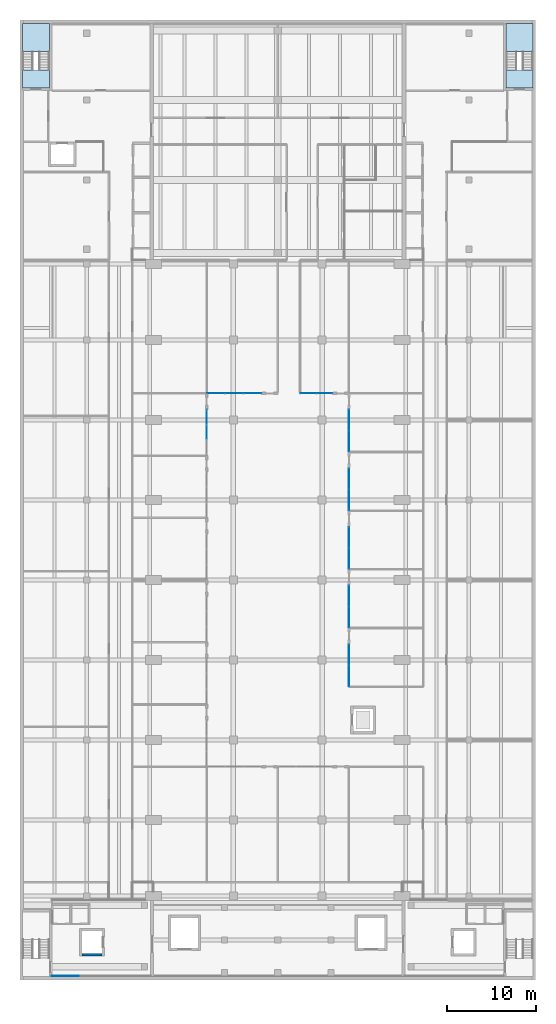
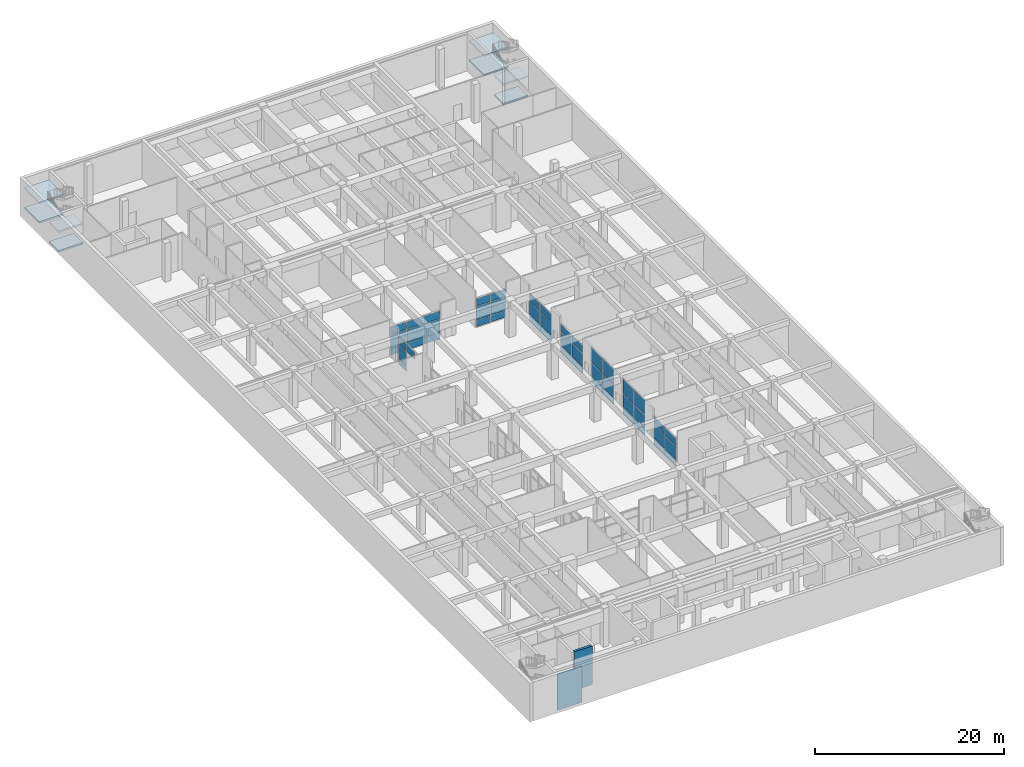
# One storey, part 16 of 29: 49 plates, 8 slabs, 2 walls, 10 elements without a shape of their own.
"""IFC4 building model written with IfcOpenShell, lengths in metres."""

from ifc_helpers import new_model, si_unit, direction, frame, frame_2d, origin, origin_2d, place, context, subcontext, project, spatial, polyline, rectangle, outline, extrude, material, layer, layer_set, type_object, element, aggregate, save


model = new_model("IFC4")

# Units and contexts
model_context = context("Model", 3, precision=1e-05, world=origin(), true_north=direction((0.0, 1.0)))
body_context = subcontext(model_context, "Body", "Model", "MODEL_VIEW")
ifc_project = project(units=[si_unit("LENGTHUNIT", "METRE"), si_unit("AREAUNIT", "SQUARE_METRE"), si_unit("VOLUMEUNIT", "CUBIC_METRE"), si_unit("PLANEANGLEUNIT", "RADIAN"), si_unit("MASSUNIT", "GRAM", prefix="KILO")], contexts=[model_context])

# Site, building, storey
site_placement = place(None, origin())
site = spatial("IfcSite", under=ifc_project, at=site_placement, CompositionType="ELEMENT")
building_placement = place(site_placement, origin())
building = spatial("IfcBuilding", under=site, at=building_placement, Name="Elmora Arch Market Hall", CompositionType="ELEMENT")
storey_placement = place(building_placement, frame((0.0, 0.0, -5.0)))
storey = spatial("IfcBuildingStorey", under=building, at=storey_placement, Name="LG", CompositionType="ELEMENT", Elevation=-5.0)

# Curtain wall, plates
ifc_material_1 = material(Name="Aluminium", Category="aluminium")
curtain_wall_type = type_object("IfcCurtainWallType", Name="Lower ground shopfront curtain wall", PredefinedType="NOTDEFINED", material=ifc_material_1)
curtain_wall_1_placement = place(storey_placement, origin())
curtain_wall_1 = element("IfcCurtainWall", 1, at=curtain_wall_1_placement, inside=storey, type_object=curtain_wall_type, Name="Lower ground shopfront W6", PredefinedType="NOTDEFINED")
ifc_material_2 = material(Name="Glass", Category="glass")
ifc_layer_1 = layer(ifc_material_2, 0.028076171875)
ifc_layer_set_1 = layer_set([ifc_layer_1], Name="Glass")
plate_type = type_object("IfcPlateType", Name="Glass panel 28", PredefinedType="CURTAIN_PANEL", material=ifc_layer_set_1)
plate_1_placement = place(storey_placement, frame((21.0, 79.60009765625, 2.72998046875), z_axis=(0.0, 0.0, 1.0), x_axis=(0.0, 1.0, 0.0)))
plate_1 = element("IfcPlate", 2, at=plate_1_placement, type_object=plate_type, Name="CW6 panel 2.3", PredefinedType="CURTAIN_PANEL", context=body_context, shape_type="SweptSolid", body=[
    extrude(rectangle(XDim=1.67333984375, YDim=0.028076171875, at=origin_2d()), origin(), (0.0, 0.0, 1.0), 0.9599609375),
])
plate_2_placement = place(storey_placement, frame((21.0, 81.318359375, 0.06005859375), z_axis=(0.0, 0.0, 1.0), x_axis=(0.0, 1.0, 0.0)))
plate_2 = element("IfcPlate", 3, at=plate_2_placement, type_object=plate_type, Name="CW6 panel 3.1", PredefinedType="CURTAIN_PANEL", context=body_context, shape_type="SweptSolid", body=[
    extrude(rectangle(XDim=1.643310546875, YDim=0.028076171875, at=origin_2d()), origin(), (0.0, 0.0, 1.0), 0.81005859375),
])
plate_3_placement = place(storey_placement, frame((21.0, 81.318359375, 0.93017578125), z_axis=(0.0, 0.0, 1.0), x_axis=(0.0, 1.0, 0.0)))
plate_3 = element("IfcPlate", 4, at=plate_3_placement, type_object=plate_type, Name="CW6 panel 3.2", PredefinedType="CURTAIN_PANEL", context=body_context, shape_type="SweptSolid", body=[
    extrude(rectangle(XDim=1.643310546875, YDim=0.028076171875, at=origin_2d()), origin(), (0.0, 0.0, 1.0), 1.739990234375),
])
plate_4_placement = place(storey_placement, frame((21.0, 81.318359375, 2.72998046875), z_axis=(0.0, 0.0, 1.0), x_axis=(0.0, 1.0, 0.0)))
plate_4 = element("IfcPlate", 5, at=plate_4_placement, type_object=plate_type, Name="CW6 panel 3.3", PredefinedType="CURTAIN_PANEL", context=body_context, shape_type="SweptSolid", body=[
    extrude(rectangle(XDim=1.643310546875, YDim=0.028076171875, at=origin_2d()), origin(), (0.0, 0.0, 1.0), 0.9599609375),
])
aggregate(curtain_wall_1, [plate_1, plate_2, plate_3, plate_4])

curtain_wall_2_placement = place(storey_placement, origin())
curtain_wall_2 = element("IfcCurtainWall", 6, at=curtain_wall_2_placement, inside=storey, type_object=curtain_wall_type, Name="Lower ground shopfront E1", PredefinedType="NOTDEFINED")
plate_5_placement = place(storey_placement, frame((37.0, 52.215087890625, 0.06005859375), z_axis=(0.0, 0.0, 1.0), x_axis=(0.0, 1.0, 0.0)))
plate_5 = element("IfcPlate", 7, at=plate_5_placement, type_object=plate_type, Name="CW6 panel 1.1", PredefinedType="CURTAIN_PANEL", context=body_context, shape_type="SweptSolid", body=[
    extrude(rectangle(XDim=2.31005859375, YDim=0.028076171875, at=origin_2d()), origin(), (0.0, 0.0, 1.0), 0.81005859375),
])
plate_6_placement = place(storey_placement, frame((37.0, 52.215087890625, 0.93017578125), z_axis=(0.0, 0.0, 1.0), x_axis=(0.0, 1.0, 0.0)))
plate_6 = element("IfcPlate", 8, at=plate_6_placement, type_object=plate_type, Name="CW6 panel 1.2", PredefinedType="CURTAIN_PANEL", context=body_context, shape_type="SweptSolid", body=[
    extrude(rectangle(XDim=2.31005859375, YDim=0.028076171875, at=origin_2d()), origin(), (0.0, 0.0, 1.0), 1.739990234375),
])
plate_7_placement = place(storey_placement, frame((37.0, 52.215087890625, 2.72998046875), z_axis=(0.0, 0.0, 1.0), x_axis=(0.0, 1.0, 0.0)))
plate_7 = element("IfcPlate", 9, at=plate_7_placement, type_object=plate_type, Name="CW6 panel 1.3", PredefinedType="CURTAIN_PANEL", context=body_context, shape_type="SweptSolid", body=[
    extrude(rectangle(XDim=2.31005859375, YDim=0.028076171875, at=origin_2d()), origin(), (0.0, 0.0, 1.0), 0.9599609375),
])
plate_8_placement = place(storey_placement, frame((37.0, 54.5849609375, 0.06005859375), z_axis=(0.0, 0.0, 1.0), x_axis=(0.0, 1.0, 0.0)))
plate_8 = element("IfcPlate", 10, at=plate_8_placement, type_object=plate_type, Name="CW6 panel 2.1", PredefinedType="CURTAIN_PANEL", context=body_context, shape_type="SweptSolid", body=[
    extrude(rectangle(XDim=2.31005859375, YDim=0.028076171875, at=origin_2d()), origin(), (0.0, 0.0, 1.0), 0.81005859375),
])
plate_9_placement = place(storey_placement, frame((37.0, 54.5849609375, 0.93017578125), z_axis=(0.0, 0.0, 1.0), x_axis=(0.0, 1.0, 0.0)))
plate_9 = element("IfcPlate", 11, at=plate_9_placement, type_object=plate_type, Name="CW6 panel 2.2", PredefinedType="CURTAIN_PANEL", context=body_context, shape_type="SweptSolid", body=[
    extrude(rectangle(XDim=2.31005859375, YDim=0.028076171875, at=origin_2d()), origin(), (0.0, 0.0, 1.0), 1.739990234375),
])
plate_10_placement = place(storey_placement, frame((37.0, 54.5849609375, 2.72998046875), z_axis=(0.0, 0.0, 1.0), x_axis=(0.0, 1.0, 0.0)))
plate_10 = element("IfcPlate", 12, at=plate_10_placement, type_object=plate_type, Name="CW6 panel 2.3", PredefinedType="CURTAIN_PANEL", context=body_context, shape_type="SweptSolid", body=[
    extrude(rectangle(XDim=2.31005859375, YDim=0.028076171875, at=origin_2d()), origin(), (0.0, 0.0, 1.0), 0.9599609375),
])
aggregate(curtain_wall_2, [plate_5, plate_6, plate_7, plate_8, plate_9, plate_10])

curtain_wall_3_placement = place(storey_placement, origin())
curtain_wall_3 = element("IfcCurtainWall", 13, at=curtain_wall_3_placement, inside=storey, type_object=curtain_wall_type, Name="Lower ground shopfront E2", PredefinedType="NOTDEFINED")
plate_11_placement = place(storey_placement, frame((37.0, 58.81494140625, 0.06005859375), z_axis=(0.0, 0.0, 1.0), x_axis=(0.0, 1.0, 0.0)))
plate_11 = element("IfcPlate", 14, at=plate_11_placement, type_object=plate_type, Name="CW6 panel 1.1", PredefinedType="CURTAIN_PANEL", context=body_context, shape_type="SweptSolid", body=[
    extrude(rectangle(XDim=2.31005859375, YDim=0.028076171875, at=origin_2d()), origin(), (0.0, 0.0, 1.0), 0.81005859375),
])
plate_12_placement = place(storey_placement, frame((37.0, 58.81494140625, 0.93017578125), z_axis=(0.0, 0.0, 1.0), x_axis=(0.0, 1.0, 0.0)))
plate_12 = element("IfcPlate", 15, at=plate_12_placement, type_object=plate_type, Name="CW6 panel 1.2", PredefinedType="CURTAIN_PANEL", context=body_context, shape_type="SweptSolid", body=[
    extrude(rectangle(XDim=2.31005859375, YDim=0.028076171875, at=origin_2d()), origin(), (0.0, 0.0, 1.0), 1.739990234375),
])
plate_13_placement = place(storey_placement, frame((37.0, 58.81494140625, 2.72998046875), z_axis=(0.0, 0.0, 1.0), x_axis=(0.0, 1.0, 0.0)))
plate_13 = element("IfcPlate", 16, at=plate_13_placement, type_object=plate_type, Name="CW6 panel 1.3", PredefinedType="CURTAIN_PANEL", context=body_context, shape_type="SweptSolid", body=[
    extrude(rectangle(XDim=2.31005859375, YDim=0.028076171875, at=origin_2d()), origin(), (0.0, 0.0, 1.0), 1.860107421875),
])
plate_14_placement = place(storey_placement, frame((37.0, 61.18505859375, 0.06005859375), z_axis=(0.0, 0.0, 1.0), x_axis=(0.0, 1.0, 0.0)))
plate_14 = element("IfcPlate", 17, at=plate_14_placement, type_object=plate_type, Name="CW6 panel 2.1", PredefinedType="CURTAIN_PANEL", context=body_context, shape_type="SweptSolid", body=[
    extrude(rectangle(XDim=2.31005859375, YDim=0.028076171875, at=origin_2d()), origin(), (0.0, 0.0, 1.0), 0.81005859375),
])
plate_15_placement = place(storey_placement, frame((37.0, 61.18505859375, 0.93017578125), z_axis=(0.0, 0.0, 1.0), x_axis=(0.0, 1.0, 0.0)))
plate_15 = element("IfcPlate", 18, at=plate_15_placement, type_object=plate_type, Name="CW6 panel 2.2", PredefinedType="CURTAIN_PANEL", context=body_context, shape_type="SweptSolid", body=[
    extrude(rectangle(XDim=2.31005859375, YDim=0.028076171875, at=origin_2d()), origin(), (0.0, 0.0, 1.0), 1.739990234375),
])
plate_16_placement = place(storey_placement, frame((37.0, 61.18505859375, 2.72998046875), z_axis=(0.0, 0.0, 1.0), x_axis=(0.0, 1.0, 0.0)))
plate_16 = element("IfcPlate", 19, at=plate_16_placement, type_object=plate_type, Name="CW6 panel 2.3", PredefinedType="CURTAIN_PANEL", context=body_context, shape_type="SweptSolid", body=[
    extrude(rectangle(XDim=2.31005859375, YDim=0.028076171875, at=origin_2d()), origin(), (0.0, 0.0, 1.0), 1.860107421875),
])
aggregate(curtain_wall_3, [plate_11, plate_12, plate_13, plate_14, plate_15, plate_16])

curtain_wall_4_placement = place(storey_placement, origin())
curtain_wall_4 = element("IfcCurtainWall", 20, at=curtain_wall_4_placement, inside=storey, type_object=curtain_wall_type, Name="Lower ground shopfront E3", PredefinedType="NOTDEFINED")
plate_17_placement = place(storey_placement, frame((37.0, 65.4150390625, 0.06005859375), z_axis=(0.0, 0.0, 1.0), x_axis=(0.0, 1.0, 0.0)))
plate_17 = element("IfcPlate", 21, at=plate_17_placement, type_object=plate_type, Name="CW6 panel 1.1", PredefinedType="CURTAIN_PANEL", context=body_context, shape_type="SweptSolid", body=[
    extrude(rectangle(XDim=2.31005859375, YDim=0.028076171875, at=origin_2d()), origin(), (0.0, 0.0, 1.0), 0.81005859375),
])
plate_18_placement = place(storey_placement, frame((37.0, 65.4150390625, 0.93017578125), z_axis=(0.0, 0.0, 1.0), x_axis=(0.0, 1.0, 0.0)))
plate_18 = element("IfcPlate", 22, at=plate_18_placement, type_object=plate_type, Name="CW6 panel 1.2", PredefinedType="CURTAIN_PANEL", context=body_context, shape_type="SweptSolid", body=[
    extrude(rectangle(XDim=2.31005859375, YDim=0.028076171875, at=origin_2d()), origin(), (0.0, 0.0, 1.0), 1.739990234375),
])
plate_19_placement = place(storey_placement, frame((37.0, 65.4150390625, 2.72998046875), z_axis=(0.0, 0.0, 1.0), x_axis=(0.0, 1.0, 0.0)))
plate_19 = element("IfcPlate", 23, at=plate_19_placement, type_object=plate_type, Name="CW6 panel 1.3", PredefinedType="CURTAIN_PANEL", context=body_context, shape_type="SweptSolid", body=[
    extrude(rectangle(XDim=2.31005859375, YDim=0.028076171875, at=origin_2d()), origin(), (0.0, 0.0, 1.0), 1.860107421875),
])
plate_20_placement = place(storey_placement, frame((37.0, 67.784912109375, 0.06005859375), z_axis=(0.0, 0.0, 1.0), x_axis=(0.0, 1.0, 0.0)))
plate_20 = element("IfcPlate", 24, at=plate_20_placement, type_object=plate_type, Name="CW6 panel 2.1", PredefinedType="CURTAIN_PANEL", context=body_context, shape_type="SweptSolid", body=[
    extrude(rectangle(XDim=2.31005859375, YDim=0.028076171875, at=origin_2d()), origin(), (0.0, 0.0, 1.0), 0.81005859375),
])
plate_21_placement = place(storey_placement, frame((37.0, 67.784912109375, 0.93017578125), z_axis=(0.0, 0.0, 1.0), x_axis=(0.0, 1.0, 0.0)))
plate_21 = element("IfcPlate", 25, at=plate_21_placement, type_object=plate_type, Name="CW6 panel 2.2", PredefinedType="CURTAIN_PANEL", context=body_context, shape_type="SweptSolid", body=[
    extrude(rectangle(XDim=2.31005859375, YDim=0.028076171875, at=origin_2d()), origin(), (0.0, 0.0, 1.0), 1.739990234375),
])
plate_22_placement = place(storey_placement, frame((37.0, 67.784912109375, 2.72998046875), z_axis=(0.0, 0.0, 1.0), x_axis=(0.0, 1.0, 0.0)))
plate_22 = element("IfcPlate", 26, at=plate_22_placement, type_object=plate_type, Name="CW6 panel 2.3", PredefinedType="CURTAIN_PANEL", context=body_context, shape_type="SweptSolid", body=[
    extrude(rectangle(XDim=2.31005859375, YDim=0.028076171875, at=origin_2d()), origin(), (0.0, 0.0, 1.0), 1.860107421875),
])
aggregate(curtain_wall_4, [plate_17, plate_18, plate_19, plate_20, plate_21, plate_22])

curtain_wall_5_placement = place(storey_placement, origin())
curtain_wall_5 = element("IfcCurtainWall", 27, at=curtain_wall_5_placement, inside=storey, type_object=curtain_wall_type, Name="Lower ground shopfront E4", PredefinedType="NOTDEFINED")
plate_23_placement = place(storey_placement, frame((37.0, 72.014892578125, 0.06005859375), z_axis=(0.0, 0.0, 1.0), x_axis=(0.0, 1.0, 0.0)))
plate_23 = element("IfcPlate", 28, at=plate_23_placement, type_object=plate_type, Name="CW6 panel 1.1", PredefinedType="CURTAIN_PANEL", context=body_context, shape_type="SweptSolid", body=[
    extrude(rectangle(XDim=2.31005859375, YDim=0.028076171875, at=origin_2d()), origin(), (0.0, 0.0, 1.0), 0.81005859375),
])
plate_24_placement = place(storey_placement, frame((37.0, 72.014892578125, 0.93017578125), z_axis=(0.0, 0.0, 1.0), x_axis=(0.0, 1.0, 0.0)))
plate_24 = element("IfcPlate", 29, at=plate_24_placement, type_object=plate_type, Name="CW6 panel 1.2", PredefinedType="CURTAIN_PANEL", context=body_context, shape_type="SweptSolid", body=[
    extrude(rectangle(XDim=2.31005859375, YDim=0.028076171875, at=origin_2d()), origin(), (0.0, 0.0, 1.0), 1.739990234375),
])
plate_25_placement = place(storey_placement, frame((37.0, 72.014892578125, 2.72998046875), z_axis=(0.0, 0.0, 1.0), x_axis=(0.0, 1.0, 0.0)))
plate_25 = element("IfcPlate", 30, at=plate_25_placement, type_object=plate_type, Name="CW6 panel 1.3", PredefinedType="CURTAIN_PANEL", context=body_context, shape_type="SweptSolid", body=[
    extrude(rectangle(XDim=2.31005859375, YDim=0.028076171875, at=origin_2d()), origin(), (0.0, 0.0, 1.0), 0.9599609375),
])
plate_26_placement = place(storey_placement, frame((37.0, 74.385009765625, 0.06005859375), z_axis=(0.0, 0.0, 1.0), x_axis=(0.0, 1.0, 0.0)))
plate_26 = element("IfcPlate", 31, at=plate_26_placement, type_object=plate_type, Name="CW6 panel 2.1", PredefinedType="CURTAIN_PANEL", context=body_context, shape_type="SweptSolid", body=[
    extrude(rectangle(XDim=2.31005859375, YDim=0.028076171875, at=origin_2d()), origin(), (0.0, 0.0, 1.0), 0.81005859375),
])
plate_27_placement = place(storey_placement, frame((37.0, 74.385009765625, 0.93017578125), z_axis=(0.0, 0.0, 1.0), x_axis=(0.0, 1.0, 0.0)))
plate_27 = element("IfcPlate", 32, at=plate_27_placement, type_object=plate_type, Name="CW6 panel 2.2", PredefinedType="CURTAIN_PANEL", context=body_context, shape_type="SweptSolid", body=[
    extrude(rectangle(XDim=2.31005859375, YDim=0.028076171875, at=origin_2d()), origin(), (0.0, 0.0, 1.0), 1.739990234375),
])
plate_28_placement = place(storey_placement, frame((37.0, 74.385009765625, 2.72998046875), z_axis=(0.0, 0.0, 1.0), x_axis=(0.0, 1.0, 0.0)))
plate_28 = element("IfcPlate", 33, at=plate_28_placement, type_object=plate_type, Name="CW6 panel 2.3", PredefinedType="CURTAIN_PANEL", context=body_context, shape_type="SweptSolid", body=[
    extrude(rectangle(XDim=2.31005859375, YDim=0.028076171875, at=origin_2d()), origin(), (0.0, 0.0, 1.0), 0.9599609375),
])
aggregate(curtain_wall_5, [plate_23, plate_24, plate_25, plate_26, plate_27, plate_28])

curtain_wall_6_placement = place(storey_placement, origin())
curtain_wall_6 = element("IfcCurtainWall", 34, at=curtain_wall_6_placement, inside=storey, type_object=curtain_wall_type, Name="Lower ground shopfront E5", PredefinedType="NOTDEFINED")
plate_29_placement = place(storey_placement, frame((37.0, 78.614990234375, 0.06005859375), z_axis=(0.0, 0.0, 1.0), x_axis=(0.0, 1.0, 0.0)))
plate_29 = element("IfcPlate", 35, at=plate_29_placement, type_object=plate_type, Name="CW6 panel 1.1", PredefinedType="CURTAIN_PANEL", context=body_context, shape_type="SweptSolid", body=[
    extrude(rectangle(XDim=2.31005859375, YDim=0.028076171875, at=origin_2d()), origin(), (0.0, 0.0, 1.0), 0.81005859375),
])
plate_30_placement = place(storey_placement, frame((37.0, 78.614990234375, 0.93017578125), z_axis=(0.0, 0.0, 1.0), x_axis=(0.0, 1.0, 0.0)))
plate_30 = element("IfcPlate", 36, at=plate_30_placement, type_object=plate_type, Name="CW6 panel 1.2", PredefinedType="CURTAIN_PANEL", context=body_context, shape_type="SweptSolid", body=[
    extrude(rectangle(XDim=2.31005859375, YDim=0.028076171875, at=origin_2d()), origin(), (0.0, 0.0, 1.0), 1.739990234375),
])
plate_31_placement = place(storey_placement, frame((37.0, 78.614990234375, 2.72998046875), z_axis=(0.0, 0.0, 1.0), x_axis=(0.0, 1.0, 0.0)))
plate_31 = element("IfcPlate", 37, at=plate_31_placement, type_object=plate_type, Name="CW6 panel 1.3", PredefinedType="CURTAIN_PANEL", context=body_context, shape_type="SweptSolid", body=[
    extrude(rectangle(XDim=2.31005859375, YDim=0.028076171875, at=origin_2d()), origin(), (0.0, 0.0, 1.0), 0.9599609375),
])
plate_32_placement = place(storey_placement, frame((37.0, 80.985107421875, 0.06005859375), z_axis=(0.0, 0.0, 1.0), x_axis=(0.0, 1.0, 0.0)))
plate_32 = element("IfcPlate", 38, at=plate_32_placement, type_object=plate_type, Name="CW6 panel 2.1", PredefinedType="CURTAIN_PANEL", context=body_context, shape_type="SweptSolid", body=[
    extrude(rectangle(XDim=2.31005859375, YDim=0.028076171875, at=origin_2d()), origin(), (0.0, 0.0, 1.0), 0.81005859375),
])
plate_33_placement = place(storey_placement, frame((37.0, 80.985107421875, 0.93017578125), z_axis=(0.0, 0.0, 1.0), x_axis=(0.0, 1.0, 0.0)))
plate_33 = element("IfcPlate", 39, at=plate_33_placement, type_object=plate_type, Name="CW6 panel 2.2", PredefinedType="CURTAIN_PANEL", context=body_context, shape_type="SweptSolid", body=[
    extrude(rectangle(XDim=2.31005859375, YDim=0.028076171875, at=origin_2d()), origin(), (0.0, 0.0, 1.0), 1.739990234375),
])
plate_34_placement = place(storey_placement, frame((37.0, 80.985107421875, 2.72998046875), z_axis=(0.0, 0.0, 1.0), x_axis=(0.0, 1.0, 0.0)))
plate_34 = element("IfcPlate", 40, at=plate_34_placement, type_object=plate_type, Name="CW6 panel 2.3", PredefinedType="CURTAIN_PANEL", context=body_context, shape_type="SweptSolid", body=[
    extrude(rectangle(XDim=2.31005859375, YDim=0.028076171875, at=origin_2d()), origin(), (0.0, 0.0, 1.0), 0.9599609375),
])
aggregate(curtain_wall_6, [plate_29, plate_30, plate_31, plate_32, plate_33, plate_34])

curtain_wall_7_placement = place(storey_placement, origin())
curtain_wall_7 = element("IfcCurtainWall", 41, at=curtain_wall_7_placement, inside=storey, type_object=curtain_wall_type, Name="Lower ground shopfront N1", PredefinedType="NOTDEFINED")
plate_35_placement = place(storey_placement, frame((22.04833984375, 84.0, 0.06005859375), z_axis=(0.0, 0.0, 1.0), x_axis=(1.0, 0.0, 0.0)))
plate_35 = element("IfcPlate", 42, at=plate_35_placement, type_object=plate_type, Name="CW6 panel 1.1", PredefinedType="CURTAIN_PANEL", context=body_context, shape_type="SweptSolid", body=[
    extrude(rectangle(XDim=1.9765625, YDim=0.028076171875, at=origin_2d()), origin(), (0.0, 0.0, 1.0), 0.81005859375),
])
plate_36_placement = place(storey_placement, frame((22.04833984375, 84.0, 0.93017578125), z_axis=(0.0, 0.0, 1.0), x_axis=(1.0, 0.0, 0.0)))
plate_36 = element("IfcPlate", 43, at=plate_36_placement, type_object=plate_type, Name="CW6 panel 1.2", PredefinedType="CURTAIN_PANEL", context=body_context, shape_type="SweptSolid", body=[
    extrude(rectangle(XDim=1.9765625, YDim=0.028076171875, at=origin_2d()), origin(), (0.0, 0.0, 1.0), 1.739990234375),
])
plate_37_placement = place(storey_placement, frame((22.04833984375, 84.0, 2.72998046875), z_axis=(0.0, 0.0, 1.0), x_axis=(1.0, 0.0, 0.0)))
plate_37 = element("IfcPlate", 44, at=plate_37_placement, type_object=plate_type, Name="CW6 panel 1.3", PredefinedType="CURTAIN_PANEL", context=body_context, shape_type="SweptSolid", body=[
    extrude(rectangle(XDim=1.9765625, YDim=0.028076171875, at=origin_2d()), origin(), (0.0, 0.0, 1.0), 0.9599609375),
])
plate_38_placement = place(storey_placement, frame((24.10009765625, 84.0, 0.06005859375), z_axis=(0.0, 0.0, 1.0), x_axis=(1.0, 0.0, 0.0)))
plate_38 = element("IfcPlate", 45, at=plate_38_placement, type_object=plate_type, Name="CW6 panel 2.1", PredefinedType="CURTAIN_PANEL", context=body_context, shape_type="SweptSolid", body=[
    extrude(rectangle(XDim=2.006591796875, YDim=0.028076171875, at=origin_2d()), origin(), (0.0, 0.0, 1.0), 0.81005859375),
])
plate_39_placement = place(storey_placement, frame((24.10009765625, 84.0, 0.93017578125), z_axis=(0.0, 0.0, 1.0), x_axis=(1.0, 0.0, 0.0)))
plate_39 = element("IfcPlate", 46, at=plate_39_placement, type_object=plate_type, Name="CW6 panel 2.2", PredefinedType="CURTAIN_PANEL", context=body_context, shape_type="SweptSolid", body=[
    extrude(rectangle(XDim=2.006591796875, YDim=0.028076171875, at=origin_2d()), origin(), (0.0, 0.0, 1.0), 1.739990234375),
])
plate_40_placement = place(storey_placement, frame((24.10009765625, 84.0, 2.72998046875), z_axis=(0.0, 0.0, 1.0), x_axis=(1.0, 0.0, 0.0)))
plate_40 = element("IfcPlate", 47, at=plate_40_placement, type_object=plate_type, Name="CW6 panel 2.3", PredefinedType="CURTAIN_PANEL", context=body_context, shape_type="SweptSolid", body=[
    extrude(rectangle(XDim=2.006591796875, YDim=0.028076171875, at=origin_2d()), origin(), (0.0, 0.0, 1.0), 0.9599609375),
])
plate_41_placement = place(storey_placement, frame((26.151611328125, 84.0, 0.06005859375), z_axis=(0.0, 0.0, 1.0), x_axis=(1.0, 0.0, 0.0)))
plate_41 = element("IfcPlate", 48, at=plate_41_placement, type_object=plate_type, Name="CW6 panel 3.1", PredefinedType="CURTAIN_PANEL", context=body_context, shape_type="SweptSolid", body=[
    extrude(rectangle(XDim=1.9765625, YDim=0.028076171875, at=origin_2d()), origin(), (0.0, 0.0, 1.0), 0.81005859375),
])
plate_42_placement = place(storey_placement, frame((26.151611328125, 84.0, 0.93017578125), z_axis=(0.0, 0.0, 1.0), x_axis=(1.0, 0.0, 0.0)))
plate_42 = element("IfcPlate", 49, at=plate_42_placement, type_object=plate_type, Name="CW6 panel 3.2", PredefinedType="CURTAIN_PANEL", context=body_context, shape_type="SweptSolid", body=[
    extrude(rectangle(XDim=1.9765625, YDim=0.028076171875, at=origin_2d()), origin(), (0.0, 0.0, 1.0), 1.739990234375),
])
plate_43_placement = place(storey_placement, frame((26.151611328125, 84.0, 2.72998046875), z_axis=(0.0, 0.0, 1.0), x_axis=(1.0, 0.0, 0.0)))
plate_43 = element("IfcPlate", 50, at=plate_43_placement, type_object=plate_type, Name="CW6 panel 3.3", PredefinedType="CURTAIN_PANEL", context=body_context, shape_type="SweptSolid", body=[
    extrude(rectangle(XDim=1.9765625, YDim=0.028076171875, at=origin_2d()), origin(), (0.0, 0.0, 1.0), 0.9599609375),
])
aggregate(curtain_wall_7, [plate_35, plate_36, plate_37, plate_38, plate_39, plate_40, plate_41, plate_42, plate_43])

curtain_wall_8_placement = place(storey_placement, origin())
curtain_wall_8 = element("IfcCurtainWall", 51, at=curtain_wall_8_placement, inside=storey, type_object=curtain_wall_type, Name="Lower ground shopfront N2", PredefinedType="NOTDEFINED")
plate_44_placement = place(storey_placement, frame((32.43994140625, 84.0, 0.06005859375), z_axis=(0.0, 0.0, 1.0), x_axis=(1.0, 0.0, 0.0)))
plate_44 = element("IfcPlate", 52, at=plate_44_placement, type_object=plate_type, Name="CW6 panel 1.1", PredefinedType="CURTAIN_PANEL", context=body_context, shape_type="SweptSolid", body=[
    extrude(rectangle(XDim=1.760009765625, YDim=0.028076171875, at=origin_2d()), origin(), (0.0, 0.0, 1.0), 0.81005859375),
])
plate_45_placement = place(storey_placement, frame((32.43994140625, 84.0, 0.93017578125), z_axis=(0.0, 0.0, 1.0), x_axis=(1.0, 0.0, 0.0)))
plate_45 = element("IfcPlate", 53, at=plate_45_placement, type_object=plate_type, Name="CW6 panel 1.2", PredefinedType="CURTAIN_PANEL", context=body_context, shape_type="SweptSolid", body=[
    extrude(rectangle(XDim=1.760009765625, YDim=0.028076171875, at=origin_2d()), origin(), (0.0, 0.0, 1.0), 1.739990234375),
])
plate_46_placement = place(storey_placement, frame((32.43994140625, 84.0, 2.72998046875), z_axis=(0.0, 0.0, 1.0), x_axis=(1.0, 0.0, 0.0)))
plate_46 = element("IfcPlate", 54, at=plate_46_placement, type_object=plate_type, Name="CW6 panel 1.3", PredefinedType="CURTAIN_PANEL", context=body_context, shape_type="SweptSolid", body=[
    extrude(rectangle(XDim=1.760009765625, YDim=0.028076171875, at=origin_2d()), origin(), (0.0, 0.0, 1.0), 0.9599609375),
])
plate_47_placement = place(storey_placement, frame((34.260009765625, 84.0, 0.06005859375), z_axis=(0.0, 0.0, 1.0), x_axis=(1.0, 0.0, 0.0)))
plate_47 = element("IfcPlate", 55, at=plate_47_placement, type_object=plate_type, Name="CW6 panel 2.1", PredefinedType="CURTAIN_PANEL", context=body_context, shape_type="SweptSolid", body=[
    extrude(rectangle(XDim=1.760009765625, YDim=0.028076171875, at=origin_2d()), origin(), (0.0, 0.0, 1.0), 0.81005859375),
])
plate_48_placement = place(storey_placement, frame((34.260009765625, 84.0, 0.93017578125), z_axis=(0.0, 0.0, 1.0), x_axis=(1.0, 0.0, 0.0)))
plate_48 = element("IfcPlate", 56, at=plate_48_placement, type_object=plate_type, Name="CW6 panel 2.2", PredefinedType="CURTAIN_PANEL", context=body_context, shape_type="SweptSolid", body=[
    extrude(rectangle(XDim=1.760009765625, YDim=0.028076171875, at=origin_2d()), origin(), (0.0, 0.0, 1.0), 1.739990234375),
])
plate_49_placement = place(storey_placement, frame((34.260009765625, 84.0, 2.72998046875), z_axis=(0.0, 0.0, 1.0), x_axis=(1.0, 0.0, 0.0)))
plate_49 = element("IfcPlate", 57, at=plate_49_placement, type_object=plate_type, Name="CW6 panel 2.3", PredefinedType="CURTAIN_PANEL", context=body_context, shape_type="SweptSolid", body=[
    extrude(rectangle(XDim=1.760009765625, YDim=0.028076171875, at=origin_2d()), origin(), (0.0, 0.0, 1.0), 0.9599609375),
])
aggregate(curtain_wall_8, [plate_44, plate_45, plate_46, plate_47, plate_48, plate_49])

# Stair, slabs
ifc_material_3 = material(Name="Concrete C40/50", Category="concrete")
stair_type = type_object("IfcStairType", Name="Exit stair 1200", PredefinedType="TWO_STRAIGHT_RUN_STAIR", material=ifc_material_3)
stair_1_placement = place(storey_placement, origin())
stair_1 = element("IfcStair", 58, at=stair_1_placement, inside=storey, type_object=stair_type, Name="Stair ST-W LG", PredefinedType="TWO_STRAIGHT_RUN_STAIR")
ifc_material_4 = material(Name="Concrete C32/40", Category="concrete")
ifc_layer_2 = layer(ifc_material_4, 0.199951171875)
ifc_layer_set_2 = layer_set([ifc_layer_2], Name="Concrete C32/40")
slab_type = type_object("IfcSlabType", Name="Stair landing 200", PredefinedType="LANDING", material=ifc_layer_set_2)
slab_1_placement = place(storey_placement, frame((0.0, 0.0, -0.199951171875)))
slab_1 = element("IfcSlab", 59, at=slab_1_placement, type_object=slab_type, Name="Stair ST-W LG landing 1", PredefinedType="LANDING", context=body_context, shape_type="SweptSolid", body=[
    extrude(outline(polyline([(0.300048828125, 118.35009765625), (3.300048828125, 118.35009765625), (3.300048828125, 120.35009765625), (0.300048828125, 120.35009765625), (0.300048828125, 118.35009765625)])), origin(), (0.0, 0.0, 1.0), 0.199951171875),
])
slab_2_placement = place(storey_placement, frame((0.0, 0.0, 1.050048828125)))
slab_2 = element("IfcSlab", 60, at=slab_2_placement, type_object=slab_type, Name="Stair ST-W LG landing 2", PredefinedType="LANDING", context=body_context, shape_type="SweptSolid", body=[
    extrude(outline(polyline([(0.300048828125, 122.449951171875), (3.300048828125, 122.449951171875), (3.300048828125, 125.60009765625), (0.300048828125, 125.60009765625), (0.300048828125, 122.449951171875)])), origin(), (0.0, 0.0, 1.0), 0.199951171875),
])
slab_3_placement = place(storey_placement, frame((0.0, 0.0, 2.300048828125)))
slab_3 = element("IfcSlab", 61, at=slab_3_placement, type_object=slab_type, Name="Stair ST-W LG landing 3", PredefinedType="LANDING", context=body_context, shape_type="SweptSolid", body=[
    extrude(outline(polyline([(0.300048828125, 118.35009765625), (3.300048828125, 118.35009765625), (3.300048828125, 120.35009765625), (0.300048828125, 120.35009765625), (0.300048828125, 118.35009765625)])), origin(), (0.0, 0.0, 1.0), 0.199951171875),
])
slab_4_placement = place(storey_placement, frame((0.0, 0.0, 3.550048828125)))
slab_4 = element("IfcSlab", 62, at=slab_4_placement, type_object=slab_type, Name="Stair ST-W LG landing 4", PredefinedType="LANDING", context=body_context, shape_type="SweptSolid", body=[
    extrude(outline(polyline([(0.300048828125, 122.449951171875), (3.300048828125, 122.449951171875), (3.300048828125, 125.60009765625), (0.300048828125, 125.60009765625), (0.300048828125, 122.449951171875)])), origin(), (0.0, 0.0, 1.0), 0.199951171875),
])
aggregate(stair_1, [slab_1, slab_2, slab_3, slab_4])

stair_2_placement = place(storey_placement, origin())
stair_2 = element("IfcStair", 63, at=stair_2_placement, inside=storey, type_object=stair_type, Name="Stair ST-E LG", PredefinedType="TWO_STRAIGHT_RUN_STAIR")
slab_5_placement = place(storey_placement, frame((0.0, 0.0, -0.199951171875)))
slab_5 = element("IfcSlab", 64, at=slab_5_placement, type_object=slab_type, Name="Stair ST-E LG landing 1", PredefinedType="LANDING", context=body_context, shape_type="SweptSolid", body=[
    extrude(outline(polyline([(54.699951171875, 118.35009765625), (57.699951171875, 118.35009765625), (57.699951171875, 120.35009765625), (54.699951171875, 120.35009765625), (54.699951171875, 118.35009765625)])), origin(), (0.0, 0.0, 1.0), 0.199951171875),
])
slab_6_placement = place(storey_placement, frame((0.0, 0.0, 1.050048828125)))
slab_6 = element("IfcSlab", 65, at=slab_6_placement, type_object=slab_type, Name="Stair ST-E LG landing 2", PredefinedType="LANDING", context=body_context, shape_type="SweptSolid", body=[
    extrude(outline(polyline([(54.699951171875, 122.449951171875), (57.699951171875, 122.449951171875), (57.699951171875, 125.60009765625), (54.699951171875, 125.60009765625), (54.699951171875, 122.449951171875)])), origin(), (0.0, 0.0, 1.0), 0.199951171875),
])
slab_7_placement = place(storey_placement, frame((0.0, 0.0, 2.300048828125)))
slab_7 = element("IfcSlab", 66, at=slab_7_placement, type_object=slab_type, Name="Stair ST-E LG landing 3", PredefinedType="LANDING", context=body_context, shape_type="SweptSolid", body=[
    extrude(outline(polyline([(54.699951171875, 118.35009765625), (57.699951171875, 118.35009765625), (57.699951171875, 120.35009765625), (54.699951171875, 120.35009765625), (54.699951171875, 118.35009765625)])), origin(), (0.0, 0.0, 1.0), 0.199951171875),
])
slab_8_placement = place(storey_placement, frame((0.0, 0.0, 3.550048828125)))
slab_8 = element("IfcSlab", 67, at=slab_8_placement, type_object=slab_type, Name="Stair ST-E LG landing 4", PredefinedType="LANDING", context=body_context, shape_type="SweptSolid", body=[
    extrude(outline(polyline([(54.699951171875, 122.449951171875), (57.699951171875, 122.449951171875), (57.699951171875, 125.60009765625), (54.699951171875, 125.60009765625), (54.699951171875, 122.449951171875)])), origin(), (0.0, 0.0, 1.0), 0.199951171875),
])
aggregate(stair_2, [slab_5, slab_6, slab_7, slab_8])

# Walls
ifc_material_5 = material(Name="Concrete C40/50", Category="concrete")
ifc_layer_3 = layer(ifc_material_5, 0.300048828125)
ifc_layer_set_3 = layer_set([ifc_layer_3], Name="Concrete C40/50")
wall_type_1 = type_object("IfcWallType", Name="Lift shaft wall 300", PredefinedType="SHEAR", material=ifc_layer_set_3)
wall_1_placement = place(storey_placement, frame((7.0, 20.85009765625, 0.0), z_axis=(0.0, 0.0, 1.0), x_axis=(1.0, 0.0, 0.0)))
element("IfcWall", 68, at=wall_1_placement, inside=storey, type_object=wall_type_1, Name="Lift shaft wall WL1 S LG", PredefinedType="SHEAR", context=body_context, shape_type="SweptSolid", body=[
    extrude(rectangle(XDim=2.199951171875, YDim=0.300048828125, at=frame_2d((1.10009765625, 0.0))), origin(), (0.0, 0.0, 1.0), 5.0),
])
ifc_material_6 = material(Name="Gypsum board on metal studs")
ifc_layer_4 = layer(ifc_material_6, 0.10009765625)
ifc_layer_set_4 = layer_set([ifc_layer_4], Name="Gypsum board on metal studs")
wall_type_2 = type_object("IfcWallType", Name="Partition 100", PredefinedType="PARTITIONING", material=ifc_layer_set_4)
wall_2_placement = place(storey_placement, frame((3.60009765625, 18.449951171875, 0.0), z_axis=(0.0, 0.0, 1.0), x_axis=(1.0, 0.0, 0.0)))
element("IfcWall", 69, at=wall_2_placement, inside=storey, type_object=wall_type_2, Name="Partition PT-LG-001", PredefinedType="PARTITIONING", context=body_context, shape_type="SweptSolid", body=[
    extrude(rectangle(XDim=3.010009765625, YDim=0.10009765625, at=frame_2d((1.5048828125, 0.0))), origin(), (0.0, 0.0, 1.0), 4.699951171875),
])

save(model, "model.ifc")
